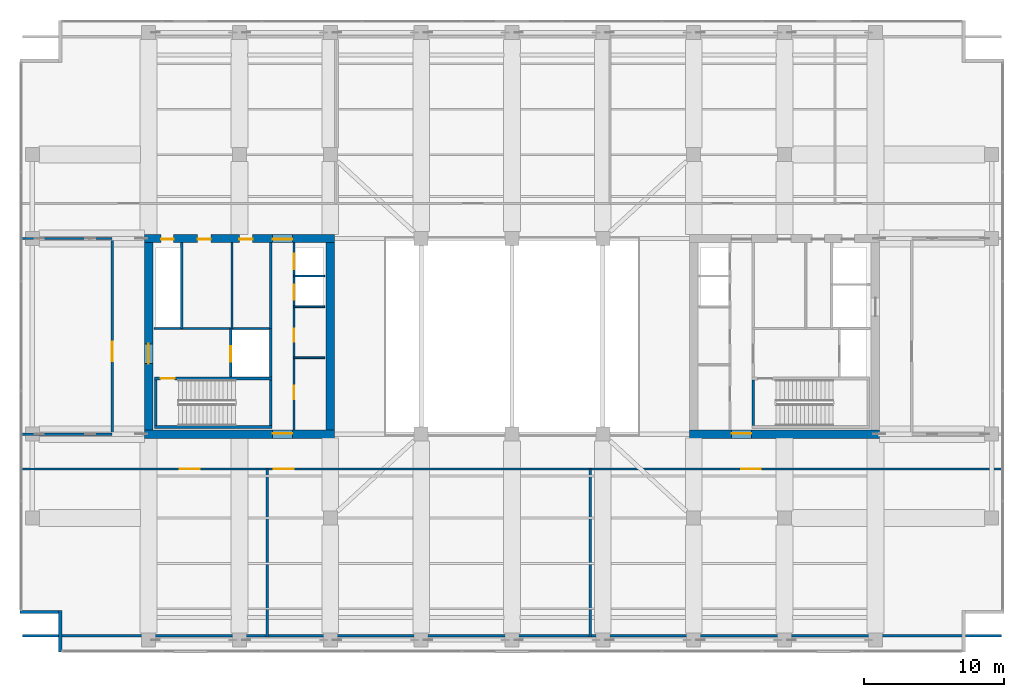
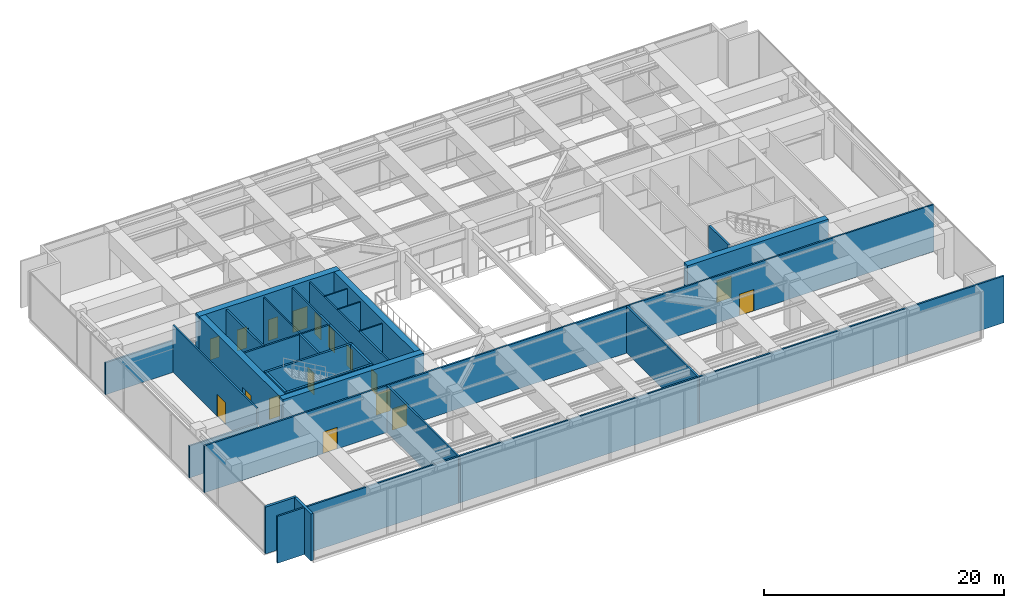
# One storey, part 22 of 28: 31 walls, 17 doors, 17 openings.
"""IFC4 building model written with IfcOpenShell, lengths in metres."""

from ifc_helpers import new_model, si_unit, direction, frame, frame_2d, origin, place, context, subcontext, project, spatial, rectangle, extrude, material, layer, layer_set, type_object, element, fill, save


model = new_model("IFC4")

# Units and contexts
model_context = context("Model", 3, precision=1e-05, world=origin(), true_north=direction((0.0, 1.0)))
body_context = subcontext(model_context, "Body", "Model", "MODEL_VIEW")
ifc_project = project(units=[si_unit("LENGTHUNIT", "METRE"), si_unit("AREAUNIT", "SQUARE_METRE"), si_unit("VOLUMEUNIT", "CUBIC_METRE"), si_unit("PLANEANGLEUNIT", "RADIAN"), si_unit("MASSUNIT", "GRAM", prefix="KILO")], contexts=[model_context])

# Site, building, storey
site_placement = place(None, origin())
site = spatial("IfcSite", under=ifc_project, at=site_placement, CompositionType="ELEMENT")
building_placement = place(site_placement, origin())
building = spatial("IfcBuilding", under=site, at=building_placement, Name="Putna Gate Headquarters", CompositionType="ELEMENT")
storey_placement = place(building_placement, frame((0.0, 0.0, 197.39990234375)))
storey = spatial("IfcBuildingStorey", under=building, at=storey_placement, Name="L49", CompositionType="ELEMENT", Elevation=197.39990234375)

# Wall, opening, door
ifc_material_1 = material(Name="Concrete C50/60", Category="concrete")
ifc_layer_1 = layer(ifc_material_1, 0.60009765625)
ifc_layer_set_1 = layer_set([ifc_layer_1], Name="Concrete C50/60")
wall_type_1 = type_object("IfcWallType", Name="WALL-CORE-600", PredefinedType="SHEAR", material=ifc_layer_set_1)
wall_1_placement = place(storey_placement, frame((12.699951171875, 19.0, 0.0), z_axis=(0.0, 0.0, 1.0), x_axis=(1.0, 0.0, 0.0)))
wall_1 = element("IfcWall", 1, at=wall_1_placement, inside=storey, type_object=wall_type_1, Name="L49 WC Split Core Shear Wall S", PredefinedType="SHEAR", context=body_context, shape_type="SweptSolid", body=[
    extrude(rectangle(XDim=13.60009765625, YDim=0.60009765625, at=frame_2d((6.800048828125, 0.0))), origin(), (0.0, 0.0, 1.0), 5.0),
])
opening_1_placement = place(wall_1_placement, frame((9.179931640625, 0.0, 0.0)))
opening_1 = element("IfcOpeningElement", 2, at=opening_1_placement, cuts=wall_1, Name="Opening FDD-140", PredefinedType="OPENING", context=body_context, shape_type="SweptSolid", body=[
    extrude(rectangle(XDim=1.39990234375, YDim=2.199951171875, at=frame_2d((0.699951171875, 1.10009765625))), frame((0.0, 0.31005859375, 0.0), z_axis=(0.0, -1.0, 0.0), x_axis=(1.0, 0.0, 0.0)), (0.0, 0.0, 1.0), 0.6201171875),
])
ifc_material_2 = material(Name="Double steel fire door", Category="steel")
door_type_1 = type_object("IfcDoorType", Name="DOOR-FIRE-DBL-1400", OperationType="DOUBLE_DOOR_SINGLE_SWING", PredefinedType="DOOR", material=ifc_material_2)
door_1_placement = place(opening_1_placement, origin())
door_1 = element("IfcDoor", 3, at=door_1_placement, inside=storey, type_object=door_type_1, Name="L49 West Lift Lobby South Door", OperationType="DOUBLE_DOOR_SINGLE_SWING", OverallHeight=2.199951171875, OverallWidth=1.39990234375, PredefinedType="DOOR", context=body_context, shape_type="SweptSolid", body=[
    extrude(rectangle(XDim=1.39990234375, YDim=2.199951171875, at=frame_2d((0.699951171875, 1.10009765625))), frame((0.0, 0.0751953125, 0.0), z_axis=(0.0, -1.0, 0.0), x_axis=(1.0, 0.0, 0.0)), (0.0, 0.0, 1.0), 0.050048828125),
])
fill(opening_1, door_1)

# Wall, openings, doors
wall_2_placement = place(storey_placement, frame((12.699951171875, 33.0, 0.0), z_axis=(0.0, 0.0, 1.0), x_axis=(1.0, 0.0, 0.0)))
wall_2 = element("IfcWall", 4, at=wall_2_placement, inside=storey, type_object=wall_type_1, Name="L49 WC Split Core Shear Wall N", PredefinedType="SHEAR", context=body_context, shape_type="SweptSolid", body=[
    extrude(rectangle(XDim=13.60009765625, YDim=0.60009765625, at=frame_2d((6.800048828125, 0.0))), origin(), (0.0, 0.0, 1.0), 5.0),
])
opening_2_placement = place(wall_2_placement, frame((1.199951171875, 0.0, 0.0)))
opening_2 = element("IfcOpeningElement", 5, at=opening_2_placement, cuts=wall_2, Name="Opening RD-90", PredefinedType="OPENING", context=body_context, shape_type="SweptSolid", body=[
    extrude(rectangle(XDim=0.89990234375, YDim=2.14990234375, at=frame_2d((0.449951171875, 1.074951171875))), frame((0.0, 0.31005859375, 0.0), z_axis=(0.0, -1.0, 0.0), x_axis=(1.0, 0.0, 0.0)), (0.0, 0.0, 1.0), 0.6201171875),
])
opening_3_placement = place(wall_2_placement, frame((3.800048828125, 0.0, 0.0)))
opening_3 = element("IfcOpeningElement", 6, at=opening_3_placement, cuts=wall_2, Name="Opening IDS-95", PredefinedType="OPENING", context=body_context, shape_type="SweptSolid", body=[
    extrude(rectangle(XDim=0.949951171875, YDim=2.14990234375, at=frame_2d((0.47509765625, 1.074951171875))), frame((0.0, 0.31005859375, 0.0), z_axis=(0.0, -1.0, 0.0), x_axis=(1.0, 0.0, 0.0)), (0.0, 0.0, 1.0), 0.6201171875),
])
opening_4_placement = place(wall_2_placement, frame((6.800048828125, 0.0, 0.0)))
opening_4 = element("IfcOpeningElement", 7, at=opening_4_placement, cuts=wall_2, Name="Opening IDS-95", PredefinedType="OPENING", context=body_context, shape_type="SweptSolid", body=[
    extrude(rectangle(XDim=0.949951171875, YDim=2.14990234375, at=frame_2d((0.47509765625, 1.074951171875))), frame((0.0, 0.31005859375, 0.0), z_axis=(0.0, -1.0, 0.0), x_axis=(1.0, 0.0, 0.0)), (0.0, 0.0, 1.0), 0.6201171875),
])
opening_5_placement = place(wall_2_placement, frame((9.179931640625, 0.0, 0.0)))
opening_5 = element("IfcOpeningElement", 8, at=opening_5_placement, cuts=wall_2, Name="Opening FDD-140", PredefinedType="OPENING", context=body_context, shape_type="SweptSolid", body=[
    extrude(rectangle(XDim=1.39990234375, YDim=2.199951171875, at=frame_2d((0.699951171875, 1.10009765625))), frame((0.0, 0.31005859375, 0.0), z_axis=(0.0, -1.0, 0.0), x_axis=(1.0, 0.0, 0.0)), (0.0, 0.0, 1.0), 0.6201171875),
])
door_2_placement = place(opening_5_placement, origin())
door_2 = element("IfcDoor", 9, at=door_2_placement, inside=storey, type_object=door_type_1, Name="L49 West Lift Lobby North Door", OperationType="DOUBLE_DOOR_SINGLE_SWING", OverallHeight=2.199951171875, OverallWidth=1.39990234375, PredefinedType="DOOR", context=body_context, shape_type="SweptSolid", body=[
    extrude(rectangle(XDim=1.39990234375, YDim=2.199951171875, at=frame_2d((0.699951171875, 1.10009765625))), frame((0.0, -0.02490234375, 0.0), z_axis=(0.0, -1.0, 0.0), x_axis=(1.0, 0.0, 0.0)), (0.0, 0.0, 1.0), 0.050048828125),
])
fill(opening_5, door_2)
ifc_material_3 = material(Name="Fire-rated service timber door", Category="wood")
door_type_2 = type_object("IfcDoorType", Name="DOOR-INT-950", OperationType="NOTDEFINED", PredefinedType="DOOR", material=ifc_material_3)
door_3_placement = place(opening_3_placement, origin())
door_3 = element("IfcDoor", 10, at=door_3_placement, inside=storey, type_object=door_type_2, Name="L49 Cleaner Store Door", OperationType="SINGLE_SWING_LEFT", OverallHeight=2.14990234375, OverallWidth=0.949951171875, PredefinedType="DOOR", context=body_context, shape_type="SweptSolid", body=[
    extrude(rectangle(XDim=0.949951171875, YDim=2.14990234375, at=frame_2d((0.47509765625, 1.074951171875))), frame((0.0, -0.02490234375, 0.0), z_axis=(0.0, -1.0, 0.0), x_axis=(1.0, 0.0, 0.0)), (0.0, 0.0, 1.0), 0.050048828125),
])
fill(opening_3, door_3)
door_4_placement = place(opening_4_placement, origin())
door_4 = element("IfcDoor", 11, at=door_4_placement, inside=storey, type_object=door_type_2, Name="L49 Comms Plant Door", OperationType="SINGLE_SWING_RIGHT", OverallHeight=2.14990234375, OverallWidth=0.949951171875, PredefinedType="DOOR", context=body_context, shape_type="SweptSolid", body=[
    extrude(rectangle(XDim=0.949951171875, YDim=2.14990234375, at=frame_2d((0.47509765625, 1.074951171875))), frame((0.0, -0.02490234375, 0.0), z_axis=(0.0, -1.0, 0.0), x_axis=(1.0, 0.0, 0.0)), (0.0, 0.0, 1.0), 0.050048828125),
])
fill(opening_4, door_4)
ifc_material_4 = material(Name="Steel riser access fire door", Category="steel")
door_type_3 = type_object("IfcDoorType", Name="DOOR-RISER-900", OperationType="NOTDEFINED", PredefinedType="DOOR", material=ifc_material_4)
door_5_placement = place(opening_2_placement, origin())
door_5 = element("IfcDoor", 12, at=door_5_placement, inside=storey, type_object=door_type_3, Name="L49 West Riser Access Door", OperationType="SINGLE_SWING_RIGHT", OverallHeight=2.14990234375, OverallWidth=0.89990234375, PredefinedType="DOOR", context=body_context, shape_type="SweptSolid", body=[
    extrude(rectangle(XDim=0.89990234375, YDim=2.14990234375, at=frame_2d((0.449951171875, 1.074951171875))), frame((0.0, -0.02490234375, 0.0), z_axis=(0.0, -1.0, 0.0), x_axis=(1.0, 0.0, 0.0)), (0.0, 0.0, 1.0), 0.050048828125),
])
fill(opening_2, door_5)

# Wall, opening, door
wall_3_placement = place(storey_placement, frame((13.0, 19.300048828125, 0.0), z_axis=(0.0, 0.0, 1.0), x_axis=(0.0, 1.0, 0.0)))
wall_3 = element("IfcWall", 13, at=wall_3_placement, inside=storey, type_object=wall_type_1, Name="L49 WC Split Core Shear Wall W", PredefinedType="SHEAR", context=body_context, shape_type="SweptSolid", body=[
    extrude(rectangle(XDim=13.39990234375, YDim=0.60009765625, at=frame_2d((6.699951171875, 0.0))), origin(), (0.0, 0.0, 1.0), 5.0),
])
opening_6_placement = place(wall_3_placement, frame((4.75, 0.0, 0.0)))
opening_6 = element("IfcOpeningElement", 14, at=opening_6_placement, cuts=wall_3, Name="Opening FDD-140", PredefinedType="OPENING", context=body_context, shape_type="SweptSolid", body=[
    extrude(rectangle(XDim=1.39990234375, YDim=2.199951171875, at=frame_2d((0.699951171875, 1.10009765625))), frame((0.0, 0.31005859375, 0.0), z_axis=(0.0, -1.0, 0.0), x_axis=(1.0, 0.0, 0.0)), (0.0, 0.0, 1.0), 0.6201171875),
])
door_6_placement = place(opening_6_placement, origin())
door_6 = element("IfcDoor", 15, at=door_6_placement, inside=storey, type_object=door_type_1, Name="L49 West Firefighting Lobby Door", OperationType="DOUBLE_DOOR_SINGLE_SWING", OverallHeight=2.199951171875, OverallWidth=1.39990234375, PredefinedType="DOOR", context=body_context, shape_type="SweptSolid", body=[
    extrude(rectangle(XDim=1.39990234375, YDim=2.199951171875, at=frame_2d((0.699951171875, 1.10009765625))), frame((0.0, 0.02490234375, 0.0), z_axis=(0.0, -1.0, 0.0), x_axis=(1.0, 0.0, 0.0)), (0.0, 0.0, 1.0), 0.050048828125),
])
fill(opening_6, door_6)

# Wall
wall_4_placement = place(storey_placement, frame((26.0, 19.300048828125, 0.0), z_axis=(0.0, 0.0, 1.0), x_axis=(0.0, 1.0, 0.0)))
element("IfcWall", 16, at=wall_4_placement, inside=storey, type_object=wall_type_1, Name="L49 WC Split Core Shear Wall E", PredefinedType="SHEAR", context=body_context, shape_type="SweptSolid", body=[
    extrude(rectangle(XDim=13.39990234375, YDim=0.60009765625, at=frame_2d((6.699951171875, 0.0))), origin(), (0.0, 0.0, 1.0), 5.0),
])

# Wall, opening, door
wall_5_placement = place(storey_placement, frame((51.699951171875, 19.0, 0.0), z_axis=(0.0, 0.0, 1.0), x_axis=(1.0, 0.0, 0.0)))
wall_5 = element("IfcWall", 17, at=wall_5_placement, inside=storey, type_object=wall_type_1, Name="L49 EC Split Core Shear Wall S", PredefinedType="SHEAR", context=body_context, shape_type="SweptSolid", body=[
    extrude(rectangle(XDim=13.60009765625, YDim=0.60009765625, at=frame_2d((6.800048828125, 0.0))), origin(), (0.0, 0.0, 1.0), 5.0),
])
opening_7_placement = place(wall_5_placement, frame((3.02001953125, 0.0, 0.0)))
opening_7 = element("IfcOpeningElement", 18, at=opening_7_placement, cuts=wall_5, Name="Opening FDD-140", PredefinedType="OPENING", context=body_context, shape_type="SweptSolid", body=[
    extrude(rectangle(XDim=1.39990234375, YDim=2.199951171875, at=frame_2d((0.699951171875, 1.10009765625))), frame((0.0, 0.31005859375, 0.0), z_axis=(0.0, -1.0, 0.0), x_axis=(1.0, 0.0, 0.0)), (0.0, 0.0, 1.0), 0.6201171875),
])
door_7_placement = place(opening_7_placement, origin())
door_7 = element("IfcDoor", 19, at=door_7_placement, inside=storey, type_object=door_type_1, Name="L49 East Lift Lobby South Door", OperationType="DOUBLE_DOOR_SINGLE_SWING", OverallHeight=2.199951171875, OverallWidth=1.39990234375, PredefinedType="DOOR", context=body_context, shape_type="SweptSolid", body=[
    extrude(rectangle(XDim=1.39990234375, YDim=2.199951171875, at=frame_2d((0.699951171875, 1.10009765625))), frame((0.0, 0.0751953125, 0.0), z_axis=(0.0, -1.0, 0.0), x_axis=(1.0, 0.0, 0.0)), (0.0, 0.0, 1.0), 0.050048828125),
])
fill(opening_7, door_7)

# Walls
ifc_material_5 = material(Name="Precast concrete C40/50", Category="concrete")
ifc_layer_2 = layer(ifc_material_5, 0.239990234375)
ifc_layer_set_2 = layer_set([ifc_layer_2], Name="Precast concrete C40/50")
wall_type_2 = type_object("IfcWallType", Name="WALL-EXT-TERR-240", PredefinedType="STANDARD", material=ifc_layer_set_2)
for number, where, z_axis, x_axis, name in (
    (20, (6.679931640625, 3.39990234375, 0.0), (0.0, 0.0, 1.0), (0.0, 1.0, 0.0), "L49 Corner Notch Return Wall SW-V"),
    (21, (6.800048828125, 6.280029296875, 0.0), (0.0, 0.0, 1.0), (-1.0, 0.0, 0.0), "L49 Corner Notch Return Wall SW-H"),
):
    element("IfcWall", number, at=place(storey_placement, frame(where, z_axis=z_axis, x_axis=x_axis)), inside=storey, type_object=wall_type_2, Name=name, PredefinedType="STANDARD", context=body_context, shape_type="SweptSolid", body=[
        extrude(rectangle(XDim=3.0, YDim=0.239990234375, at=frame_2d((1.5, 0.0))), origin(), (0.0, 0.0, 1.0), 4.780029296875),
    ])
ifc_material_6 = material(Name="Fire-rated shaftwall gypsum board on metal stud")
ifc_layer_3 = layer(ifc_material_6, 0.1201171875)
ifc_layer_set_3 = layer_set([ifc_layer_3], Name="Fire-rated shaftwall gypsum board on metal stud")
wall_type_3 = type_object("IfcWallType", Name="WALL-PART-120-EI120", PredefinedType="PARTITIONING", material=ifc_layer_set_3)
wall_6_placement = place(storey_placement, frame((23.39990234375, 30.31005859375, 0.0), z_axis=(0.0, 0.0, 1.0), x_axis=(1.0, 0.0, 0.0)))
element("IfcWall", 22, at=wall_6_placement, inside=storey, type_object=wall_type_3, Name="L49 Interior Wall CWINT-L49-WC-LF09-DIV", PredefinedType="PARTITIONING", context=body_context, shape_type="SweptSolid", body=[
    extrude(rectangle(XDim=2.2001953125, YDim=0.1201171875, at=frame_2d((1.10009765625, 0.0))), origin(), (0.0, 0.0, 1.0), 4.780029296875),
])
ifc_material_7 = material(Name="Fire-rated gypsum board on metal stud")
ifc_layer_4 = layer(ifc_material_7, 0.1201171875)
ifc_layer_set_4 = layer_set([ifc_layer_4], Name="Fire-rated gypsum board on metal stud")
wall_type_4 = type_object("IfcWallType", Name="WALL-PART-120-RATED", PredefinedType="PARTITIONING", material=ifc_layer_set_4)
wall_7_placement = place(storey_placement, frame((18.969970703125, 26.56005859375, 0.0), z_axis=(0.0, 0.0, 1.0), x_axis=(0.0, 1.0, 0.0)))
element("IfcWall", 23, at=wall_7_placement, inside=storey, type_object=wall_type_4, Name="L49 Interior Wall CWINT-L49-WC-K0-DIV", PredefinedType="PARTITIONING", context=body_context, shape_type="SweptSolid", body=[
    extrude(rectangle(XDim=6.139892578125, YDim=0.1201171875, at=frame_2d((3.06982421875, 0.0))), origin(), (0.0, 0.0, 1.0), 4.780029296875),
])
for number, where, z_axis, x_axis, name in (
    (24, (23.39990234375, 24.469970703125, 0.0), (0.0, 0.0, 1.0), (1.0, 0.0, 0.0), "L49 Interior Wall CWINT-L49-WC-REUSE-DIV"),
    (25, (23.39990234375, 28.1201171875, 0.0), (0.0, 0.0, 1.0), (1.0, 0.0, 0.0), "L49 Interior Wall CWINT-L49-WC-LF06-DIV"),
):
    element("IfcWall", number, at=place(storey_placement, frame(where, z_axis=z_axis, x_axis=x_axis)), inside=storey, type_object=wall_type_4, Name=name, PredefinedType="PARTITIONING", context=body_context, shape_type="SweptSolid", body=[
        extrude(rectangle(XDim=2.2001953125, YDim=0.1201171875, at=frame_2d((1.10009765625, 0.0))), origin(), (0.0, 0.0, 1.0), 4.780029296875),
    ])
ifc_material_8 = material(Name="Concrete C40/50", Category="concrete")
ifc_layer_5 = layer(ifc_material_8, 0.159912109375)
ifc_layer_set_5 = layer_set([ifc_layer_5], Name="Concrete C40/50")
wall_type_5 = type_object("IfcWallType", Name="WALL-SHAFT-160", PredefinedType="STANDARD", material=ifc_layer_set_5)
wall_8_placement = place(storey_placement, frame((21.739990234375, 23.090087890625, 0.0), z_axis=(0.0, 0.0, 1.0), x_axis=(0.0, 1.0, 0.0)))
element("IfcWall", 26, at=wall_8_placement, inside=storey, type_object=wall_type_5, Name="L49 Interior Wall CWINT-L49-WC-FFL-E", PredefinedType="STANDARD", context=body_context, shape_type="SweptSolid", body=[
    extrude(rectangle(XDim=3.469970703125, YDim=0.159912109375, at=frame_2d((1.73486328125, 0.0))), origin(), (0.0, 0.0, 1.0), 4.780029296875),
])

# Wall, opening, door
wall_9_placement = place(storey_placement, frame((18.8798828125, 23.090087890625, 0.0), z_axis=(0.0, 0.0, 1.0), x_axis=(0.0, 1.0, 0.0)))
wall_9 = element("IfcWall", 27, at=wall_9_placement, inside=storey, type_object=wall_type_5, Name="L49 Interior Wall CWINT-L49-WC-LF13-W", PredefinedType="STANDARD", context=body_context, shape_type="SweptSolid", body=[
    extrude(rectangle(XDim=3.469970703125, YDim=0.159912109375, at=frame_2d((1.73486328125, 0.0))), origin(), (0.0, 0.0, 1.0), 4.780029296875),
])
opening_8_placement = place(wall_9_placement, frame((1.10009765625, 0.0, 0.0)))
opening_8 = element("IfcOpeningElement", 28, at=opening_8_placement, cuts=wall_9, Name="Opening LD-1", PredefinedType="OPENING", context=body_context, shape_type="SweptSolid", body=[
    extrude(rectangle(XDim=1.10009765625, YDim=2.199951171875, at=frame_2d((0.550048828125, 1.10009765625))), frame((0.0, 0.08984375, 0.0), z_axis=(0.0, -1.0, 0.0), x_axis=(1.0, 0.0, 0.0)), (0.0, 0.0, 1.0), 0.179931640625),
])
ifc_material_9 = material(Name="Brushed bronze stainless lift landing door")
door_type_4 = type_object("IfcDoorType", Name="DOOR-LIFT-1100", OperationType="DOUBLE_DOOR_SLIDING", PredefinedType="DOOR", material=ifc_material_9)
door_8_placement = place(opening_8_placement, origin())
door_8 = element("IfcDoor", 29, at=door_8_placement, inside=storey, type_object=door_type_4, Name="L49 Lift Landing Door LD-13", OperationType="DOUBLE_DOOR_SLIDING", OverallHeight=2.199951171875, OverallWidth=1.10009765625, PredefinedType="DOOR", context=body_context, shape_type="SweptSolid", body=[
    extrude(rectangle(XDim=1.10009765625, YDim=2.199951171875, at=frame_2d((0.550048828125, 1.10009765625))), frame((0.0, 0.02490234375, 0.0), z_axis=(0.0, -1.0, 0.0), x_axis=(1.0, 0.0, 0.0)), (0.0, 0.0, 1.0), 0.050048828125),
])
fill(opening_8, door_8)

# Walls
wall_10_placement = place(storey_placement, frame((13.39990234375, 26.56005859375, 0.0), z_axis=(0.0, 0.0, 1.0), x_axis=(1.0, 0.0, 0.0)))
element("IfcWall", 30, at=wall_10_placement, inside=storey, type_object=wall_type_5, Name="L49 Interior Wall CWINT-L49-WC-FFL-N", PredefinedType="STANDARD", context=body_context, shape_type="SweptSolid", body=[
    extrude(rectangle(XDim=8.340087890625, YDim=0.159912109375, at=frame_2d((4.169921875, 0.0))), origin(), (0.0, 0.0, 1.0), 4.780029296875),
])
for number, where, z_axis, x_axis, name in (
    (31, (15.3798828125, 26.56005859375, 0.0), (0.0, 0.0, 1.0), (0.0, 1.0, 0.0), "L49 Interior Wall CWINT-L49-WC-RISER-E"),
    (32, (21.739990234375, 26.56005859375, 0.0), (0.0, 0.0, 1.0), (0.0, 1.0, 0.0), "L49 Interior Wall CWINT-L49-WC-LOB-W"),
):
    element("IfcWall", number, at=place(storey_placement, frame(where, z_axis=z_axis, x_axis=x_axis)), inside=storey, type_object=wall_type_5, Name=name, PredefinedType="STANDARD", context=body_context, shape_type="SweptSolid", body=[
        extrude(rectangle(XDim=6.139892578125, YDim=0.159912109375, at=frame_2d((3.06982421875, 0.0))), origin(), (0.0, 0.0, 1.0), 4.780029296875),
    ])

# Wall, openings, doors
wall_11_placement = place(storey_placement, frame((23.39990234375, 19.300048828125, 0.0), z_axis=(0.0, 0.0, 1.0), x_axis=(0.0, 1.0, 0.0)))
wall_11 = element("IfcWall", 33, at=wall_11_placement, inside=storey, type_object=wall_type_5, Name="L49 Interior Wall CWINT-L49-WC-PL-WALL", PredefinedType="STANDARD", context=body_context, shape_type="SweptSolid", body=[
    extrude(rectangle(XDim=13.39990234375, YDim=0.159912109375, at=frame_2d((6.699951171875, 0.0))), origin(), (0.0, 0.0, 1.0), 4.780029296875),
])
opening_9_placement = place(wall_11_placement, frame((2.199951171875, 0.0, 0.0)))
opening_9 = element("IfcOpeningElement", 34, at=opening_9_placement, cuts=wall_11, Name="Opening IDS-95", PredefinedType="OPENING", context=body_context, shape_type="SweptSolid", body=[
    extrude(rectangle(XDim=0.949951171875, YDim=2.14990234375, at=frame_2d((0.47509765625, 1.074951171875))), frame((0.0, 0.08984375, 0.0), z_axis=(0.0, -1.0, 0.0), x_axis=(1.0, 0.0, 0.0)), (0.0, 0.0, 1.0), 0.179931640625),
])
opening_10_placement = place(wall_11_placement, frame((6.300048828125, 0.0, 0.0)))
opening_10 = element("IfcOpeningElement", 35, at=opening_10_placement, cuts=wall_11, Name="Opening IDS-95", PredefinedType="OPENING", context=body_context, shape_type="SweptSolid", body=[
    extrude(rectangle(XDim=0.949951171875, YDim=2.14990234375, at=frame_2d((0.47509765625, 1.074951171875))), frame((0.0, 0.08984375, 0.0), z_axis=(0.0, -1.0, 0.0), x_axis=(1.0, 0.0, 0.0)), (0.0, 0.0, 1.0), 0.179931640625),
])
opening_11_placement = place(wall_11_placement, frame((9.300048828125, 0.0, 0.0)))
opening_11 = element("IfcOpeningElement", 36, at=opening_11_placement, cuts=wall_11, Name="Opening LD-1", PredefinedType="OPENING", context=body_context, shape_type="SweptSolid", body=[
    extrude(rectangle(XDim=1.10009765625, YDim=2.199951171875, at=frame_2d((0.550048828125, 1.10009765625))), frame((0.0, 0.08984375, 0.0), z_axis=(0.0, -1.0, 0.0), x_axis=(1.0, 0.0, 0.0)), (0.0, 0.0, 1.0), 0.179931640625),
])
opening_12_placement = place(wall_11_placement, frame((11.5, 0.0, 0.0)))
opening_12 = element("IfcOpeningElement", 37, at=opening_12_placement, cuts=wall_11, Name="Opening LD-1", PredefinedType="OPENING", context=body_context, shape_type="SweptSolid", body=[
    extrude(rectangle(XDim=1.10009765625, YDim=2.199951171875, at=frame_2d((0.550048828125, 1.10009765625))), frame((0.0, 0.08984375, 0.0), z_axis=(0.0, -1.0, 0.0), x_axis=(1.0, 0.0, 0.0)), (0.0, 0.0, 1.0), 0.179931640625),
])
door_9_placement = place(opening_9_placement, origin())
door_9 = element("IfcDoor", 38, at=door_9_placement, inside=storey, type_object=door_type_2, Name="L49 Tenant IT Hub Door", OperationType="SINGLE_SWING_LEFT", OverallHeight=2.14990234375, OverallWidth=0.949951171875, PredefinedType="DOOR", context=body_context, shape_type="SweptSolid", body=[
    extrude(rectangle(XDim=0.949951171875, YDim=2.14990234375, at=frame_2d((0.47509765625, 1.074951171875))), frame((0.0, 0.02490234375, 0.0), z_axis=(0.0, -1.0, 0.0), x_axis=(1.0, 0.0, 0.0)), (0.0, 0.0, 1.0), 0.050048828125),
])
fill(opening_9, door_9)
door_10_placement = place(opening_10_placement, origin())
door_10 = element("IfcDoor", 39, at=door_10_placement, inside=storey, type_object=door_type_2, Name="L49 Records Vault Door", OperationType="SINGLE_SWING_RIGHT", OverallHeight=2.14990234375, OverallWidth=0.949951171875, PredefinedType="DOOR", context=body_context, shape_type="SweptSolid", body=[
    extrude(rectangle(XDim=0.949951171875, YDim=2.14990234375, at=frame_2d((0.47509765625, 1.074951171875))), frame((0.0, 0.02490234375, 0.0), z_axis=(0.0, -1.0, 0.0), x_axis=(1.0, 0.0, 0.0)), (0.0, 0.0, 1.0), 0.050048828125),
])
fill(opening_10, door_10)
door_11_placement = place(opening_11_placement, origin())
door_11 = element("IfcDoor", 40, at=door_11_placement, inside=storey, type_object=door_type_4, Name="L49 Lift Landing Door LD-09", OperationType="DOUBLE_DOOR_SLIDING", OverallHeight=2.199951171875, OverallWidth=1.10009765625, PredefinedType="DOOR", context=body_context, shape_type="SweptSolid", body=[
    extrude(rectangle(XDim=1.10009765625, YDim=2.199951171875, at=frame_2d((0.550048828125, 1.10009765625))), frame((0.0, 0.02490234375, 0.0), z_axis=(0.0, -1.0, 0.0), x_axis=(1.0, 0.0, 0.0)), (0.0, 0.0, 1.0), 0.050048828125),
])
fill(opening_11, door_11)
door_12_placement = place(opening_12_placement, origin())
door_12 = element("IfcDoor", 41, at=door_12_placement, inside=storey, type_object=door_type_4, Name="L49 Lift Landing Door LD-10", OperationType="DOUBLE_DOOR_SLIDING", OverallHeight=2.199951171875, OverallWidth=1.10009765625, PredefinedType="DOOR", context=body_context, shape_type="SweptSolid", body=[
    extrude(rectangle(XDim=1.10009765625, YDim=2.199951171875, at=frame_2d((0.550048828125, 1.10009765625))), frame((0.0, 0.02490234375, 0.0), z_axis=(0.0, -1.0, 0.0), x_axis=(1.0, 0.0, 0.0)), (0.0, 0.0, 1.0), 0.050048828125),
])
fill(opening_12, door_12)

# Wall
wall_12_placement = place(storey_placement, frame((3.97998046875, 4.570068359375, 0.0), z_axis=(0.0, 0.0, 1.0), x_axis=(1.0, 0.0, 0.0)))
element("IfcWall", 42, at=wall_12_placement, inside=storey, type_object=wall_type_5, Name="L49 Interior Wall PART-L49-BELT-S", PredefinedType="STANDARD", context=body_context, shape_type="SweptSolid", body=[
    extrude(rectangle(XDim=70.0400390625, YDim=0.159912109375, at=frame_2d((35.02001953125, 0.0))), origin(), (0.0, 0.0, 1.0), 4.780029296875),
])

# Wall, opening, door
wall_13_placement = place(storey_placement, frame((10.39990234375, 19.0, 0.0), z_axis=(0.0, 0.0, 1.0), x_axis=(0.0, 1.0, 0.0)))
wall_13 = element("IfcWall", 43, at=wall_13_placement, inside=storey, type_object=wall_type_5, Name="L49 Interior Wall PART-L49-REFW", PredefinedType="STANDARD", context=body_context, shape_type="SweptSolid", body=[
    extrude(rectangle(XDim=14.0, YDim=0.159912109375, at=frame_2d((7.0, 0.0))), origin(), (0.0, 0.0, 1.0), 4.780029296875),
])
opening_13_placement = place(wall_13_placement, frame((5.199951171875, 0.0, 0.0)))
opening_13 = element("IfcOpeningElement", 44, at=opening_13_placement, cuts=wall_13, Name="Opening FDD-140", PredefinedType="OPENING", context=body_context, shape_type="SweptSolid", body=[
    extrude(rectangle(XDim=1.39990234375, YDim=2.199951171875, at=frame_2d((0.699951171875, 1.10009765625))), frame((0.0, 0.08984375, 0.0), z_axis=(0.0, -1.0, 0.0), x_axis=(1.0, 0.0, 0.0)), (0.0, 0.0, 1.0), 0.179931640625),
])
door_13_placement = place(opening_13_placement, origin())
door_13 = element("IfcDoor", 45, at=door_13_placement, inside=storey, type_object=door_type_1, Name="L49 West Refuge Area Door", OperationType="DOUBLE_DOOR_SINGLE_SWING", OverallHeight=2.199951171875, OverallWidth=1.39990234375, PredefinedType="DOOR", context=body_context, shape_type="SweptSolid", body=[
    extrude(rectangle(XDim=1.39990234375, YDim=2.199951171875, at=frame_2d((0.699951171875, 1.10009765625))), frame((0.0, 0.02490234375, 0.0), z_axis=(0.0, -1.0, 0.0), x_axis=(1.0, 0.0, 0.0)), (0.0, 0.0, 1.0), 0.050048828125),
])
fill(opening_13, door_13)

# Walls
for number, where, z_axis, x_axis, name in (
    (46, (3.820068359375, 19.0, 0.0), (0.0, 0.0, 1.0), (1.0, 0.0, 0.0), "L49 Interior Wall PART-L49-REFW-S"),
    (47, (3.820068359375, 33.0, 0.0), (0.0, 0.0, 1.0), (1.0, 0.0, 0.0), "L49 Interior Wall PART-L49-REFW-N"),
):
    element("IfcWall", number, at=place(storey_placement, frame(where, z_axis=z_axis, x_axis=x_axis)), inside=storey, type_object=wall_type_5, Name=name, PredefinedType="STANDARD", context=body_context, shape_type="SweptSolid", body=[
        extrude(rectangle(XDim=6.579833984375, YDim=0.159912109375, at=frame_2d((3.2900390625, 0.0))), origin(), (0.0, 0.0, 1.0), 3.260009765625),
    ])
wall_14_placement = place(storey_placement, frame((21.489990234375, 4.489990234375, 0.0), z_axis=(0.0, 0.0, 1.0), x_axis=(0.0, 1.0, 0.0)))
element("IfcWall", 48, at=wall_14_placement, inside=storey, type_object=wall_type_5, Name="L49 Interior Wall PART-L49-PS-DIV1", PredefinedType="STANDARD", context=body_context, shape_type="SweptSolid", body=[
    extrude(rectangle(XDim=12.010009765625, YDim=0.159912109375, at=frame_2d((6.0048828125, 0.0))), origin(), (0.0, 0.0, 1.0), 4.780029296875),
])

# Wall, opening, door
wall_15_placement = place(storey_placement, frame((3.820068359375, 16.5, 0.0), z_axis=(0.0, 0.0, 1.0), x_axis=(1.0, 0.0, 0.0)))
wall_15 = element("IfcWall", 49, at=wall_15_placement, inside=storey, type_object=wall_type_5, Name="L49 Interior Wall PART-L49-PS-CW1", PredefinedType="STANDARD", context=body_context, shape_type="SweptSolid", body=[
    extrude(rectangle(XDim=17.669921875, YDim=0.159912109375, at=frame_2d((8.8349609375, 0.0))), origin(), (0.0, 0.0, 1.0), 4.780029296875),
])
opening_14_placement = place(wall_15_placement, frame((11.425048828125, 0.0, 0.0)))
opening_14 = element("IfcOpeningElement", 50, at=opening_14_placement, cuts=wall_15, Name="Opening FDD-140", PredefinedType="OPENING", context=body_context, shape_type="SweptSolid", body=[
    extrude(rectangle(XDim=1.39990234375, YDim=2.199951171875, at=frame_2d((0.699951171875, 1.10009765625))), frame((0.0, 0.08984375, 0.0), z_axis=(0.0, -1.0, 0.0), x_axis=(1.0, 0.0, 0.0)), (0.0, 0.0, 1.0), 0.179931640625),
])
door_14_placement = place(opening_14_placement, origin())
door_14 = element("IfcDoor", 51, at=door_14_placement, inside=storey, type_object=door_type_1, Name="L49 Domestic and Fire Water Booster Pump Room Door", OperationType="DOUBLE_DOOR_SINGLE_SWING", OverallHeight=2.199951171875, OverallWidth=1.39990234375, PredefinedType="DOOR", context=body_context, shape_type="SweptSolid", body=[
    extrude(rectangle(XDim=1.39990234375, YDim=2.199951171875, at=frame_2d((0.699951171875, 1.10009765625))), frame((0.0, 0.02490234375, 0.0), z_axis=(0.0, -1.0, 0.0), x_axis=(1.0, 0.0, 0.0)), (0.0, 0.0, 1.0), 0.050048828125),
])
fill(opening_14, door_14)

# Wall
wall_16_placement = place(storey_placement, frame((44.603271484375, 4.489990234375, 0.0), z_axis=(0.0, 0.0, 1.0), x_axis=(0.0, 1.0, 0.0)))
element("IfcWall", 52, at=wall_16_placement, inside=storey, type_object=wall_type_5, Name="L49 Interior Wall PART-L49-PS-DIV2", PredefinedType="STANDARD", context=body_context, shape_type="SweptSolid", body=[
    extrude(rectangle(XDim=12.010009765625, YDim=0.159912109375, at=frame_2d((6.0048828125, 0.0))), origin(), (0.0, 0.0, 1.0), 4.780029296875),
])

# Wall, opening, door
wall_17_placement = place(storey_placement, frame((21.489990234375, 16.5, 0.0), z_axis=(0.0, 0.0, 1.0), x_axis=(1.0, 0.0, 0.0)))
wall_17 = element("IfcWall", 53, at=wall_17_placement, inside=storey, type_object=wall_type_5, Name="L49 Interior Wall PART-L49-PS-CW2", PredefinedType="STANDARD", context=body_context, shape_type="SweptSolid", body=[
    extrude(rectangle(XDim=23.11328125, YDim=0.159912109375, at=frame_2d((11.556640625, 0.0))), origin(), (0.0, 0.0, 1.0), 4.780029296875),
])
opening_15_placement = place(wall_17_placement, frame((0.47998046875, 0.0, 0.0)))
opening_15 = element("IfcOpeningElement", 54, at=opening_15_placement, cuts=wall_17, Name="Opening FDD-140", PredefinedType="OPENING", context=body_context, shape_type="SweptSolid", body=[
    extrude(rectangle(XDim=1.39990234375, YDim=2.199951171875, at=frame_2d((0.699951171875, 1.10009765625))), frame((0.0, 0.08984375, 0.0), z_axis=(0.0, -1.0, 0.0), x_axis=(1.0, 0.0, 0.0)), (0.0, 0.0, 1.0), 0.179931640625),
])
door_15_placement = place(opening_15_placement, origin())
door_15 = element("IfcDoor", 55, at=door_15_placement, inside=storey, type_object=door_type_1, Name="L49 Thermal Energy Storage and Calorifier Plant Door", OperationType="DOUBLE_DOOR_SINGLE_SWING", OverallHeight=2.199951171875, OverallWidth=1.39990234375, PredefinedType="DOOR", context=body_context, shape_type="SweptSolid", body=[
    extrude(rectangle(XDim=1.39990234375, YDim=2.199951171875, at=frame_2d((0.699951171875, 1.10009765625))), frame((0.0, 0.02490234375, 0.0), z_axis=(0.0, -1.0, 0.0), x_axis=(1.0, 0.0, 0.0)), (0.0, 0.0, 1.0), 0.050048828125),
])
fill(opening_15, door_15)

wall_18_placement = place(storey_placement, frame((44.603271484375, 16.5, 0.0), z_axis=(0.0, 0.0, 1.0), x_axis=(1.0, 0.0, 0.0)))
wall_18 = element("IfcWall", 56, at=wall_18_placement, inside=storey, type_object=wall_type_5, Name="L49 Interior Wall PART-L49-PS-CW3", PredefinedType="STANDARD", context=body_context, shape_type="SweptSolid", body=[
    extrude(rectangle(XDim=29.57666015625, YDim=0.159912109375, at=frame_2d((14.788330078125, 0.0))), origin(), (0.0, 0.0, 1.0), 4.780029296875),
])
opening_16_placement = place(wall_18_placement, frame((10.79833984375, 0.0, 0.0)))
opening_16 = element("IfcOpeningElement", 57, at=opening_16_placement, cuts=wall_18, Name="Opening FDD-140", PredefinedType="OPENING", context=body_context, shape_type="SweptSolid", body=[
    extrude(rectangle(XDim=1.39990234375, YDim=2.199951171875, at=frame_2d((0.699951171875, 1.10009765625))), frame((0.0, 0.08984375, 0.0), z_axis=(0.0, -1.0, 0.0), x_axis=(1.0, 0.0, 0.0)), (0.0, 0.0, 1.0), 0.179931640625),
])
door_16_placement = place(opening_16_placement, origin())
door_16 = element("IfcDoor", 58, at=door_16_placement, inside=storey, type_object=door_type_1, Name="L49 Emergency Power and UPS Battery Plant Room Door", OperationType="DOUBLE_DOOR_SINGLE_SWING", OverallHeight=2.199951171875, OverallWidth=1.39990234375, PredefinedType="DOOR", context=body_context, shape_type="SweptSolid", body=[
    extrude(rectangle(XDim=1.39990234375, YDim=2.199951171875, at=frame_2d((0.699951171875, 1.10009765625))), frame((0.0, 0.02490234375, 0.0), z_axis=(0.0, -1.0, 0.0), x_axis=(1.0, 0.0, 0.0)), (0.0, 0.0, 1.0), 0.050048828125),
])
fill(opening_16, door_16)

# Wall
ifc_layer_6 = layer(ifc_material_8, 0.199951171875)
ifc_layer_set_6 = layer_set([ifc_layer_6], Name="Concrete C40/50")
wall_type_6 = type_object("IfcWallType", Name="WALL-SHAFT-RC200", PredefinedType="SHEAR", material=ifc_layer_set_6)
wall_19_placement = place(storey_placement, frame((13.409912109375, 19.510009765625, 0.0), z_axis=(0.0, 0.0, 1.0), x_axis=(1.0, 0.0, 0.0)))
element("IfcWall", 59, at=wall_19_placement, inside=storey, type_object=wall_type_6, Name="L49 Stair ST1 Structural Shaft Wall S", PredefinedType="SHEAR", context=body_context, shape_type="SweptSolid", body=[
    extrude(rectangle(XDim=8.43017578125, YDim=0.199951171875, at=frame_2d((4.215087890625, 0.0))), origin(), (0.0, 0.0, 1.0), 5.0),
])

# Wall, opening, door
wall_20_placement = place(storey_placement, frame((13.409912109375, 22.989990234375, 0.0), z_axis=(0.0, 0.0, 1.0), x_axis=(1.0, 0.0, 0.0)))
wall_20 = element("IfcWall", 60, at=wall_20_placement, inside=storey, type_object=wall_type_6, Name="L49 Stair ST1 Structural Shaft Wall N", PredefinedType="SHEAR", context=body_context, shape_type="SweptSolid", body=[
    extrude(rectangle(XDim=8.43017578125, YDim=0.199951171875, at=frame_2d((4.215087890625, 0.0))), origin(), (0.0, 0.0, 1.0), 5.0),
])
opening_17_placement = place(wall_20_placement, frame((0.449951171875, 0.0, 0.0)))
opening_17 = element("IfcOpeningElement", 61, at=opening_17_placement, cuts=wall_20, Name="Opening FD-100", PredefinedType="OPENING", context=body_context, shape_type="SweptSolid", body=[
    extrude(rectangle(XDim=1.0, YDim=2.14990234375, at=frame_2d((0.5, 1.074951171875))), frame((0.0, 0.10986328125, 0.0), z_axis=(0.0, -1.0, 0.0), x_axis=(1.0, 0.0, 0.0)), (0.0, 0.0, 1.0), 0.219970703125),
])
ifc_material_10 = material(Name="Powder-coated steel fire door", Category="steel")
door_type_5 = type_object("IfcDoorType", Name="DOOR-FIRE-1000", OperationType="NOTDEFINED", PredefinedType="DOOR", material=ifc_material_10)
door_17_placement = place(opening_17_placement, origin())
door_17 = element("IfcDoor", 62, at=door_17_placement, inside=storey, type_object=door_type_5, Name="L49 Stair ST1 Fire Door", OperationType="SINGLE_SWING_LEFT", OverallHeight=2.14990234375, OverallWidth=1.0, PredefinedType="DOOR", context=body_context, shape_type="SweptSolid", body=[
    extrude(rectangle(XDim=1.0, YDim=2.14990234375, at=frame_2d((0.5, 1.074951171875))), frame((0.0, 0.02490234375, 0.0), z_axis=(0.0, -1.0, 0.0), x_axis=(1.0, 0.0, 0.0)), (0.0, 0.0, 1.0), 0.050048828125),
])
fill(opening_17, door_17)

# Walls
for number, where, z_axis, x_axis, name in (
    (63, (13.510009765625, 19.610107421875, 0.0), (0.0, 0.0, 1.0), (0.0, 1.0, 0.0), "L49 Stair ST1 Structural Shaft Wall W"),
    (64, (21.739990234375, 19.610107421875, 0.0), (0.0, 0.0, 1.0), (0.0, 1.0, 0.0), "L49 Stair ST1 Structural Shaft Wall E"),
    (65, (56.260009765625, 19.610107421875, 0.0), (0.0, 0.0, 1.0), (0.0, 1.0, 0.0), "L49 Stair ST2 Structural Shaft Wall W"),
):
    element("IfcWall", number, at=place(storey_placement, frame(where, z_axis=z_axis, x_axis=x_axis)), inside=storey, type_object=wall_type_6, Name=name, PredefinedType="SHEAR", context=body_context, shape_type="SweptSolid", body=[
        extrude(rectangle(XDim=3.27978515625, YDim=0.199951171875, at=frame_2d((1.639892578125, 0.0))), origin(), (0.0, 0.0, 1.0), 5.0),
    ])

save(model, "model.ifc")
